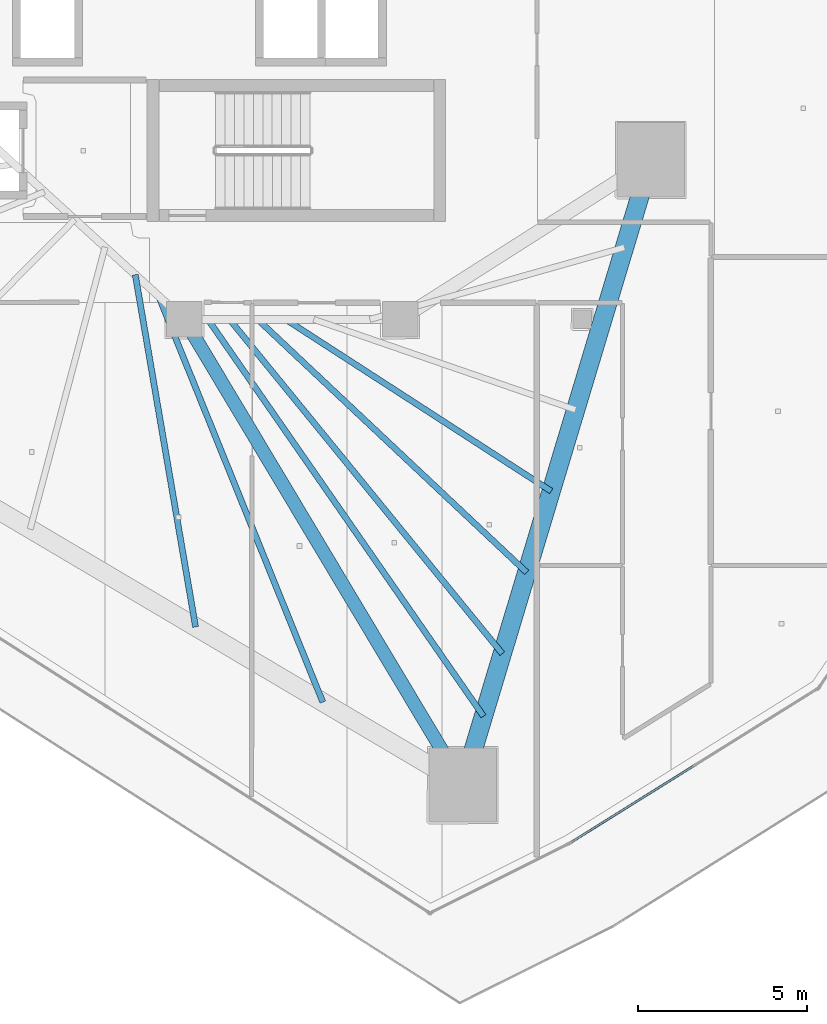
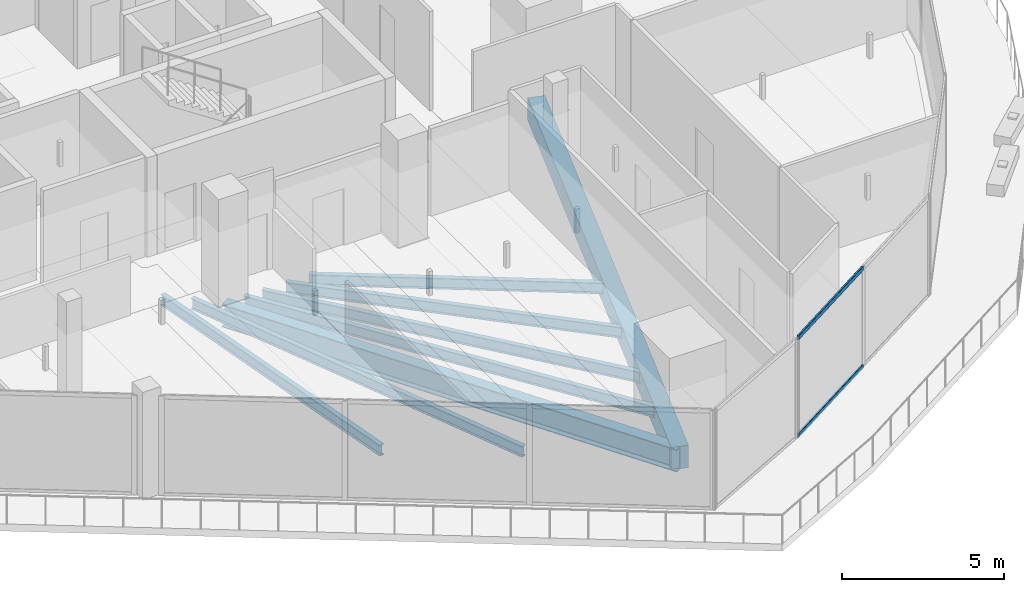
# One storey, part 8 of 36: 8 beams, 2 members, 1 element without a shape of its own.
"""IFC4 building model written with IfcOpenShell, lengths in metres."""

from ifc_helpers import new_model, si_unit, direction, frame, origin, origin_2d, place, context, subcontext, project, spatial, rectangle, hollow_rectangle, i_section, extrude, material, layer, layer_set, material_profile, profile_set, type_object, element, aggregate, save


model = new_model("IFC4")

# Units and contexts
model_context = context("Model", 3, precision=1e-05, world=origin(), true_north=direction((0.0, 1.0)))
body_context = subcontext(model_context, "Body", "Model", "MODEL_VIEW")
ifc_project = project(units=[si_unit("LENGTHUNIT", "METRE"), si_unit("AREAUNIT", "SQUARE_METRE"), si_unit("VOLUMEUNIT", "CUBIC_METRE"), si_unit("PLANEANGLEUNIT", "RADIAN"), si_unit("MASSUNIT", "GRAM", prefix="KILO")], contexts=[model_context])

# Site, building, storey
site_placement = place(None, origin())
site = spatial("IfcSite", under=ifc_project, at=site_placement, CompositionType="ELEMENT")
building_placement = place(site_placement, origin())
building = spatial("IfcBuilding", under=site, at=building_placement, Name="Qorvath Tower", CompositionType="ELEMENT")
storey_placement = place(building_placement, frame((0.0, 0.0, 170.550048828125)))
storey = spatial("IfcBuildingStorey", under=building, at=storey_placement, Name="L39", CompositionType="ELEMENT", Elevation=170.550048828125)

# Beams
ifc_material_1 = material(Name="Steel ASTM A992 Grade 50", Category="steel")
ifc_material_profile_1 = material_profile(ifc_material_1, i_section(OverallWidth=0.39892578125, OverallDepth=0.85498046875, WebThickness=0.018310546875, FlangeThickness=0.029296875, FilletRadius=0.02001953125, at=origin_2d()), Name="W33x201")
ifc_profile_set_1 = profile_set([ifc_material_profile_1], Name="Steel ASTM A992 Grade 50")
beam_type_1 = type_object("IfcBeamType", Name="BM-FG2", PredefinedType="BEAM", material=ifc_profile_set_1)
beam_1_placement = place(storey_placement, frame((-23.60009765625, -11.449951171875, -0.697509765625), z_axis=(0.513497213955, -0.85809126045, 0.0), x_axis=(0.85809126045, 0.513497213955, 0.0)))
element("IfcBeam", 1, at=beam_1_placement, inside=storey, type_object=beam_type_1, Name="Radial Floor Girder CC4-MC3 L39", PredefinedType="BEAM", context=body_context, shape_type="SweptSolid", body=[
    extrude(i_section(OverallWidth=0.39892578125, OverallDepth=0.85498046875, WebThickness=0.018310546875, FlangeThickness=0.029296875, FilletRadius=0.02001953125, at=origin_2d()), origin(), (0.0, 0.0, 1.0), 16.07763671875),
])
ifc_material_2 = material(Name="Steel ASTM A992 Grade 50", Category="steel")
ifc_material_profile_2 = material_profile(ifc_material_2, i_section(OverallWidth=0.177978515625, OverallDepth=0.406005859375, WebThickness=0.0078125, FlangeThickness=0.0126953125, FilletRadius=0.010986328125, at=origin_2d()), Name="W16x40")
ifc_profile_set_2 = profile_set([ifc_material_profile_2], Name="Steel ASTM A992 Grade 50")
beam_type_2 = type_object("IfcBeamType", Name="BM-FJ3", PredefinedType="JOIST", material=ifc_profile_set_2)
beam_2_placement = place(storey_placement, frame((-20.592041015625, -11.449951171875, -0.47314453125), z_axis=(0.839630966809, -0.543157288062, 0.0), x_axis=(0.543157288062, 0.839630966809, 0.0)))
element("IfcBeam", 2, at=beam_2_placement, inside=storey, type_object=beam_type_2, Name="Composite Floor Joist SE4 L39", PredefinedType="JOIST", context=body_context, shape_type="SweptSolid", body=[
    extrude(i_section(OverallWidth=0.177978515625, OverallDepth=0.406005859375, WebThickness=0.0078125, FlangeThickness=0.0126953125, FilletRadius=0.010986328125, at=origin_2d()), origin(), (0.0, 0.0, 1.0), 9.370361328125),
])
beam_3_placement = place(storey_placement, frame((-21.424072265625, -11.449951171875, -0.47314453125), z_axis=(0.728572459091, -0.684968737866, 0.0), x_axis=(0.684968737866, 0.728572459091, 0.0)))
element("IfcBeam", 3, at=beam_3_placement, inside=storey, type_object=beam_type_2, Name="Composite Floor Joist SE5 L39", PredefinedType="JOIST", context=body_context, shape_type="SweptSolid", body=[
    extrude(i_section(OverallWidth=0.177978515625, OverallDepth=0.406005859375, WebThickness=0.0078125, FlangeThickness=0.0126953125, FilletRadius=0.010986328125, at=origin_2d()), origin(), (0.0, 0.0, 1.0), 10.9462890625),
])
beam_4_placement = place(storey_placement, frame((-22.256103515625, -11.449951171875, -0.47314453125), z_axis=(0.632187975212, -0.774815051478, 0.0), x_axis=(0.774815051478, 0.632187975212, 0.0)))
element("IfcBeam", 4, at=beam_4_placement, inside=storey, type_object=beam_type_2, Name="Composite Floor Joist SE6 L39", PredefinedType="JOIST", context=body_context, shape_type="SweptSolid", body=[
    extrude(i_section(OverallWidth=0.177978515625, OverallDepth=0.406005859375, WebThickness=0.0078125, FlangeThickness=0.0126953125, FilletRadius=0.010986328125, at=origin_2d()), origin(), (0.0, 0.0, 1.0), 12.784912109375),
])
beam_5_placement = place(storey_placement, frame((-22.89599609375, -11.449951171875, -0.47314453125), z_axis=(0.570366725248, -0.821390162304, 0.0), x_axis=(0.821390162304, 0.570366725248, 0.0)))
element("IfcBeam", 5, at=beam_5_placement, inside=storey, type_object=beam_type_2, Name="Composite Floor Joist SE7 L39", PredefinedType="JOIST", context=body_context, shape_type="SweptSolid", body=[
    extrude(i_section(OverallWidth=0.177978515625, OverallDepth=0.406005859375, WebThickness=0.0078125, FlangeThickness=0.0126953125, FilletRadius=0.010986328125, at=origin_2d()), origin(), (0.0, 0.0, 1.0), 14.3154296875),
])
beam_6_placement = place(storey_placement, frame((-25.049072265625, -10.126953125, -0.47314453125), z_axis=(0.168745594245, -0.985659639238, 0.0), x_axis=(0.985659639238, 0.168745594245, 0.0)))
element("IfcBeam", 6, at=beam_6_placement, inside=storey, type_object=beam_type_2, Name="Composite Floor Joist SW6 L39", PredefinedType="JOIST", context=body_context, shape_type="SweptSolid", body=[
    extrude(i_section(OverallWidth=0.177978515625, OverallDepth=0.406005859375, WebThickness=0.0078125, FlangeThickness=0.0126953125, FilletRadius=0.010986328125, at=origin_2d()), origin(), (0.0, 0.0, 1.0), 10.589111328125),
])
beam_7_placement = place(storey_placement, frame((-24.35888671875, -10.757080078125, -0.47314453125), z_axis=(0.37487652097, -0.927074751045, 0.0), x_axis=(0.927074751045, 0.37487652097, 0.0)))
element("IfcBeam", 7, at=beam_7_placement, inside=storey, type_object=beam_type_2, Name="Composite Floor Joist SW7 L39", PredefinedType="JOIST", context=body_context, shape_type="SweptSolid", body=[
    extrude(i_section(OverallWidth=0.177978515625, OverallDepth=0.406005859375, WebThickness=0.0078125, FlangeThickness=0.0126953125, FilletRadius=0.010986328125, at=origin_2d()), origin(), (0.0, 0.0, 1.0), 12.9833984375),
])
ifc_material_3 = material(Name="Concrete C50/60", Category="concrete")
ifc_material_profile_3 = material_profile(ifc_material_3, rectangle(XDim=0.550048828125, YDim=0.85009765625, at=origin_2d()), Name="RCB 850x550")
ifc_profile_set_3 = profile_set([ifc_material_profile_3], Name="Concrete C50/60")
beam_type_3 = type_object("IfcBeamType", Name="BM-RCB2", PredefinedType="SPANDREL", material=ifc_profile_set_3)
beam_8_placement = place(storey_placement, frame((-15.34423828125, -25.24609375, -0.695068359375), z_axis=(0.288133952099, 0.957590113591, 0.0), x_axis=(-0.957590113591, 0.288133952099, 0.0)))
element("IfcBeam", 8, at=beam_8_placement, inside=storey, type_object=beam_type_3, Name="Perimeter Loggia Frame Beam MC3-MC4 L39", PredefinedType="SPANDREL", context=body_context, shape_type="SweptSolid", body=[
    extrude(rectangle(XDim=0.550048828125, YDim=0.85009765625, at=origin_2d()), origin(), (0.0, 0.0, 1.0), 19.344970703125),
])

# Curtain wall, members
ifc_material_4 = material(Name="Anodised aluminium and triple low-E glass", Category="aluminium")
ifc_layer = layer(ifc_material_4, 0.179931640625)
ifc_layer_set = layer_set([ifc_layer], Name="CW-SYS-3")
curtain_wall_type = type_object("IfcCurtainWallType", Name="CW-SYS-3", PredefinedType="NOTDEFINED", material=ifc_layer_set)
curtain_wall_placement = place(storey_placement, origin())
curtain_wall = element("IfcCurtainWall", 9, at=curtain_wall_placement, inside=storey, type_object=curtain_wall_type, Name="Curtain Wall CW-3 CW-T-L39-4.1", PredefinedType="NOTDEFINED")
ifc_material_5 = material(Name="Anodised aluminium 6063-T6", Category="aluminium")
ifc_material_profile_4 = material_profile(ifc_material_5, hollow_rectangle(XDim=0.06494140625, YDim=0.159912109375, WallThickness=0.00341796875, InnerFilletRadius=0.00341796875, OuterFilletRadius=0.007080078125, at=origin_2d()), Name="CWT 160x65")
ifc_profile_set_4 = profile_set([ifc_material_profile_4], Name="Anodised aluminium 6063-T6")
member_type = type_object("IfcMemberType", Name="CWT-160", PredefinedType="USERDEFINED", material=ifc_profile_set_4)
member_1_placement = place(storey_placement, frame((-12.114501953125, -26.934814453125, 0.032470703125), z_axis=(0.848424411171, 0.529316557959, 0.0), x_axis=(-0.529316557959, 0.848424411171, 0.0)))
member_1 = element("IfcMember", 10, at=member_1_placement, type_object=member_type, Name="CW-3 transom 1.1", ObjectType="TRANSOM", PredefinedType="USERDEFINED", context=body_context, shape_type="SweptSolid", body=[
    extrude(hollow_rectangle(XDim=0.06494140625, YDim=0.159912109375, WallThickness=0.00341796875, InnerFilletRadius=0.00341796875, OuterFilletRadius=0.007080078125, at=origin_2d()), origin(), (0.0, 0.0, 1.0), 4.24609375),
])
member_2_placement = place(storey_placement, frame((-12.114501953125, -26.934814453125, 3.717529296875), z_axis=(0.848424411171, 0.529316557959, 0.0), x_axis=(-0.529316557959, 0.848424411171, 0.0)))
member_2 = element("IfcMember", 11, at=member_2_placement, type_object=member_type, Name="CW-3 transom 1.2", ObjectType="TRANSOM", PredefinedType="USERDEFINED", context=body_context, shape_type="SweptSolid", body=[
    extrude(hollow_rectangle(XDim=0.06494140625, YDim=0.159912109375, WallThickness=0.00341796875, InnerFilletRadius=0.00341796875, OuterFilletRadius=0.007080078125, at=origin_2d()), origin(), (0.0, 0.0, 1.0), 4.24609375),
])
aggregate(curtain_wall, [member_1, member_2])

save(model, "model.ifc")
